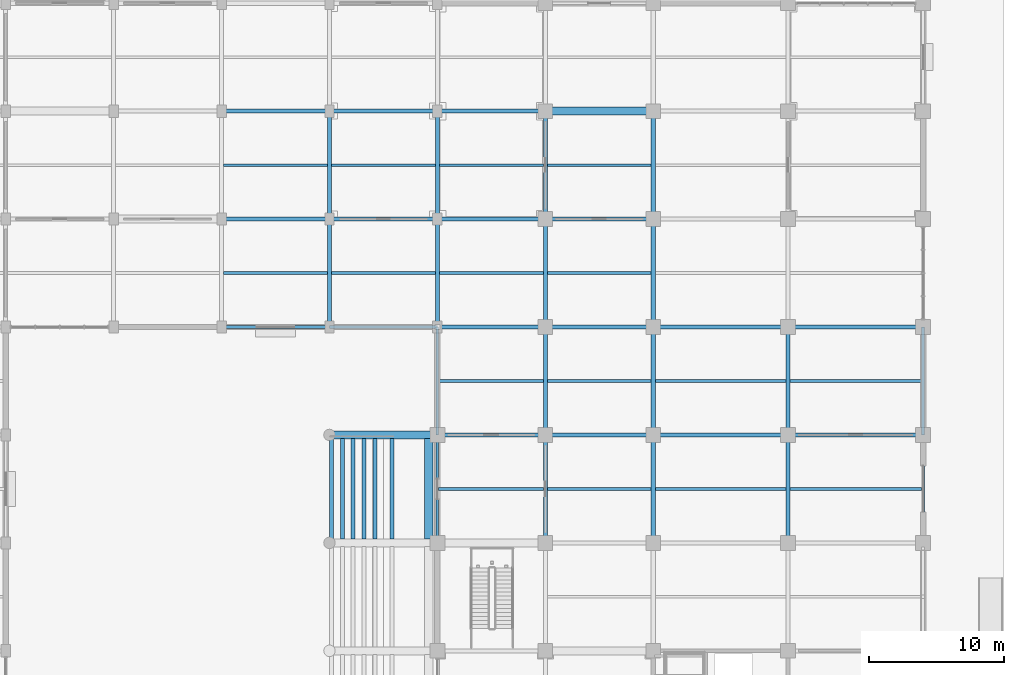
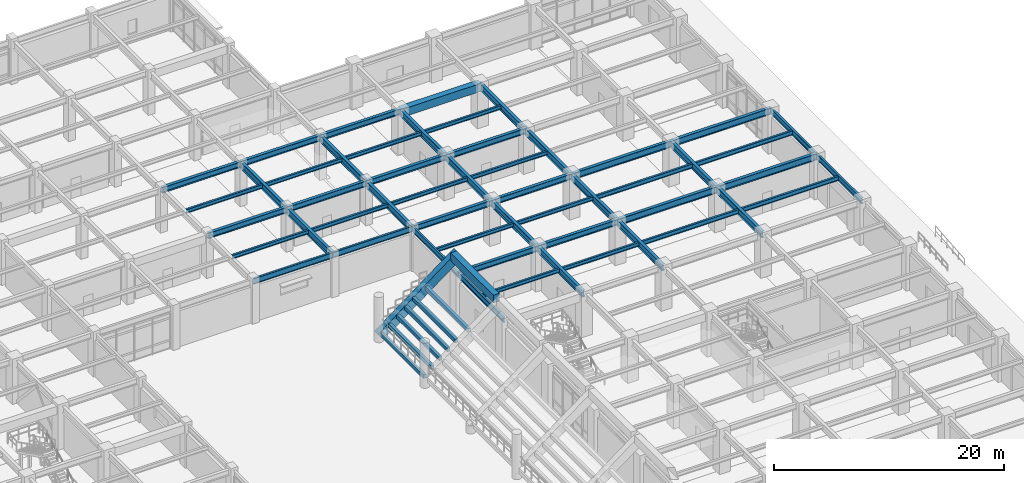
# One storey, part 52 of 125: 60 beams.
"""IFC4 building model written with IfcOpenShell, lengths in metres."""

from ifc_helpers import new_model, si_unit, direction, frame, origin, origin_2d, place, context, subcontext, project, spatial, rectangle, i_section, extrude, material, material_profile, profile_set, type_object, element, save


model = new_model("IFC4")

# Units and contexts
model_context = context("Model", 3, precision=1e-05, world=origin(), true_north=direction((0.0, 1.0)))
body_context = subcontext(model_context, "Body", "Model", "MODEL_VIEW")
ifc_project = project(units=[si_unit("LENGTHUNIT", "METRE"), si_unit("AREAUNIT", "SQUARE_METRE"), si_unit("VOLUMEUNIT", "CUBIC_METRE"), si_unit("PLANEANGLEUNIT", "RADIAN"), si_unit("MASSUNIT", "GRAM", prefix="KILO")], contexts=[model_context])

# Site, building, storey
site_placement = place(None, origin())
site = spatial("IfcSite", under=ifc_project, at=site_placement, CompositionType="ELEMENT")
building_placement = place(site_placement, origin())
building = spatial("IfcBuilding", under=site, at=building_placement, Name="Haebicheon Civic Stadium", CompositionType="ELEMENT")
storey_placement = place(building_placement, origin())
storey = spatial("IfcBuildingStorey", under=building, at=storey_placement, Name="L01", CompositionType="ELEMENT", Elevation=0.0)

# Beams
ifc_material_1 = material(Name="Precast concrete C40/50", Category="concrete")
ifc_material_profile_1 = material_profile(ifc_material_1, rectangle(XDim=0.300048828125, YDim=0.39990234375, at=origin_2d()), Name="PC-LN-300x400")
ifc_profile_set_1 = profile_set([ifc_material_profile_1], Name="Precast concrete C40/50")
beam_type_1 = type_object("IfcBeamType", Name="BM-LN-300x400", PredefinedType="LINTEL", material=ifc_profile_set_1)
for number, where, z_axis, x_axis, name in (
    (1, (192.159912109375, 120.280029296875, 0.760009765625), (0.0, 1.0, 0.0), (-1.0, 0.0, 0.0), "TIER-C-L precast step carrier beam 9.1"),
    (2, (192.9599609375, 120.280029296875, 1.427001953125), (0.0, 1.0, 0.0), (-1.0, 0.0, 0.0), "TIER-C-L precast step carrier beam 9.2"),
    (3, (193.760009765625, 120.280029296875, 2.093017578125), (0.0, 1.0, 0.0), (-1.0, 0.0, 0.0), "TIER-C-L precast step carrier beam 9.3"),
    (4, (194.56005859375, 120.280029296875, 2.760009765625), (0.0, 1.0, 0.0), (-1.0, 0.0, 0.0), "TIER-C-L precast step carrier beam 9.4"),
    (5, (195.360107421875, 120.280029296875, 3.427001953125), (0.0, 1.0, 0.0), (-1.0, 0.0, 0.0), "TIER-C-L precast step carrier beam 9.5"),
    (6, (196.639892578125, 120.280029296875, 4.093017578125), (0.0, 1.0, 0.0), (-1.0, 0.0, 0.0), "TIER-C-L precast step carrier beam 9.6"),
):
    element("IfcBeam", number, at=place(storey_placement, frame(where, z_axis=z_axis, x_axis=x_axis)), inside=storey, type_object=beam_type_1, material=ifc_profile_set_1, Name=name, PredefinedType="LINTEL", context=body_context, shape_type="SweptSolid", body=[
        extrude(rectangle(XDim=0.300048828125, YDim=0.39990234375, at=origin_2d()), origin(), (0.0, 0.0, 1.0), 7.43994140625),
    ])
ifc_material_2 = material(Name="Steel SM355 (S355)", Category="steel")
ifc_material_profile_2 = material_profile(ifc_material_2, i_section(OverallWidth=0.300048828125, OverallDepth=0.60009765625, WebThickness=0.011962890625, FlangeThickness=0.02001953125, at=origin_2d()), Name="H-600x300x12x20")
ifc_profile_set_2 = profile_set([ifc_material_profile_2], Name="Steel SM355 (S355)")
beam_type_2 = type_object("IfcBeamType", Name="BM-ST-H600A", PredefinedType="BEAM", material=ifc_profile_set_2)
for number, where, z_axis, x_axis, name in (
    (7, (184.0, 144.0, 4.219970703125), (1.0, 0.0, 0.0), (0.0, 1.0, 0.0), "L01 beam U/24-25"),
    (8, (184.0, 152.0, 4.219970703125), (1.0, 0.0, 0.0), (0.0, 1.0, 0.0), "L01 beam V/24-25"),
    (9, (192.0, 144.0, 4.219970703125), (1.0, 0.0, 0.0), (0.0, 1.0, 0.0), "L01 beam U/25-26"),
    (10, (192.0, 152.0, 4.219970703125), (1.0, 0.0, 0.0), (0.0, 1.0, 0.0), "L01 beam V/25-26"),
    (11, (200.0, 128.0, 4.219970703125), (1.0, 0.0, 0.0), (0.0, 1.0, 0.0), "L01 beam S/26-27"),
    (12, (200.0, 136.0, 4.219970703125), (1.0, 0.0, 0.0), (0.0, 1.0, 0.0), "L01 beam T/26-27"),
    (13, (200.0, 144.0, 4.219970703125), (1.0, 0.0, 0.0), (0.0, 1.0, 0.0), "L01 beam U/26-27"),
    (14, (200.0, 152.0, 4.219970703125), (1.0, 0.0, 0.0), (0.0, 1.0, 0.0), "L01 beam V/26-27"),
    (15, (208.0, 128.0, 4.219970703125), (1.0, 0.0, 0.0), (0.0, 1.0, 0.0), "L01 beam S/27-28"),
    (16, (208.0, 136.0, 4.219970703125), (1.0, 0.0, 0.0), (0.0, 1.0, 0.0), "L01 beam T/27-28"),
    (17, (208.0, 144.0, 4.219970703125), (1.0, 0.0, 0.0), (0.0, 1.0, 0.0), "L01 beam U/27-28"),
):
    element("IfcBeam", number, at=place(storey_placement, frame(where, z_axis=z_axis, x_axis=x_axis)), inside=storey, type_object=beam_type_2, material=ifc_profile_set_2, Name=name, PredefinedType="BEAM", context=body_context, shape_type="SweptSolid", body=[
        extrude(i_section(OverallWidth=0.300048828125, OverallDepth=0.60009765625, WebThickness=0.011962890625, FlangeThickness=0.02001953125, at=origin_2d()), origin(), (0.0, 0.0, 1.0), 8.0),
    ])
ifc_material_3 = material(Name="Steel SM490", Category="steel")
ifc_material_profile_3 = material_profile(ifc_material_3, i_section(OverallWidth=0.300048828125, OverallDepth=0.699951171875, WebThickness=0.012939453125, FlangeThickness=0.02392578125, at=origin_2d()), Name="H-700x300x13x24")
ifc_profile_set_3 = profile_set([ifc_material_profile_3], Name="Steel SM490")
beam_type_3 = type_object("IfcBeamType", Name="BM-ST-H700", PredefinedType="BEAM", material=ifc_profile_set_3)
for number, where, z_axis, x_axis, name in (
    (18, (192.0, 136.0, 4.169921875), (0.0, 1.0, 0.0), (-1.0, 0.0, 0.0), "L01 girder 25/T-U"),
    (19, (192.0, 144.0, 4.169921875), (0.0, 1.0, 0.0), (-1.0, 0.0, 0.0), "L01 girder 25/U-V"),
    (20, (200.0, 136.0, 4.169921875), (0.0, 1.0, 0.0), (-1.0, 0.0, 0.0), "L01 girder 26/T-U"),
    (21, (200.0, 144.0, 4.169921875), (0.0, 1.0, 0.0), (-1.0, 0.0, 0.0), "L01 girder 26/U-V"),
    (22, (208.0, 120.0, 4.169921875), (0.0, 1.0, 0.0), (-1.0, 0.0, 0.0), "L01 girder 27/R-S"),
    (23, (208.0, 128.0, 4.169921875), (0.0, 1.0, 0.0), (-1.0, 0.0, 0.0), "L01 girder 27/S-T"),
    (24, (208.0, 136.0, 4.169921875), (0.0, 1.0, 0.0), (-1.0, 0.0, 0.0), "L01 girder 27/T-U"),
    (25, (208.0, 144.0, 4.169921875), (0.0, 1.0, 0.0), (-1.0, 0.0, 0.0), "L01 girder 27/U-V"),
    (26, (216.0, 120.0, 4.169921875), (0.0, 1.0, 0.0), (-1.0, 0.0, 0.0), "L01 girder 28/R-S"),
    (27, (216.0, 128.0, 4.169921875), (0.0, 1.0, 0.0), (-1.0, 0.0, 0.0), "L01 girder 28/S-T"),
    (28, (216.0, 136.0, 4.169921875), (0.0, 1.0, 0.0), (-1.0, 0.0, 0.0), "L01 girder 28/T-U"),
    (29, (216.0, 144.0, 4.169921875), (0.0, 1.0, 0.0), (-1.0, 0.0, 0.0), "L01 girder 28/U-V"),
    (30, (226.0, 120.0, 4.169921875), (0.0, 1.0, 0.0), (-1.0, 0.0, 0.0), "L01 girder 29/R-S"),
    (31, (226.0, 128.0, 4.169921875), (0.0, 1.0, 0.0), (-1.0, 0.0, 0.0), "L01 girder 29/S-T"),
):
    element("IfcBeam", number, at=place(storey_placement, frame(where, z_axis=z_axis, x_axis=x_axis)), inside=storey, type_object=beam_type_3, material=ifc_profile_set_3, Name=name, PredefinedType="BEAM", context=body_context, shape_type="SweptSolid", body=[
        extrude(i_section(OverallWidth=0.300048828125, OverallDepth=0.699951171875, WebThickness=0.012939453125, FlangeThickness=0.02392578125, at=origin_2d()), origin(), (0.0, 0.0, 1.0), 8.0),
    ])
for number, where, z_axis, x_axis, name in (
    (32, (216.0, 128.0, 4.169921875), (1.0, 0.0, 0.0), (0.0, 1.0, 0.0), "L01 beam S/28-29"),
    (33, (216.0, 136.0, 4.169921875), (1.0, 0.0, 0.0), (0.0, 1.0, 0.0), "L01 beam T/28-29"),
    (34, (226.0, 128.0, 4.169921875), (1.0, 0.0, 0.0), (0.0, 1.0, 0.0), "L01 beam S/29-30"),
    (35, (226.0, 136.0, 4.169921875), (1.0, 0.0, 0.0), (0.0, 1.0, 0.0), "L01 beam T/29-30"),
):
    element("IfcBeam", number, at=place(storey_placement, frame(where, z_axis=z_axis, x_axis=x_axis)), inside=storey, type_object=beam_type_3, material=ifc_profile_set_3, Name=name, PredefinedType="BEAM", context=body_context, shape_type="SweptSolid", body=[
        extrude(i_section(OverallWidth=0.300048828125, OverallDepth=0.699951171875, WebThickness=0.012939453125, FlangeThickness=0.02392578125, at=origin_2d()), origin(), (0.0, 0.0, 1.0), 10.0),
    ])
ifc_material_4 = material(Name="Precast concrete C40/50", Category="concrete")
ifc_material_profile_4 = material_profile(ifc_material_4, rectangle(XDim=0.60009765625, YDim=0.85009765625, at=origin_2d()), Name="PC-TB-600x850")
ifc_profile_set_4 = profile_set([ifc_material_profile_4], Name="Precast concrete C40/50")
beam_type_4 = type_object("IfcBeamType", Name="BM-TB-600x850", PredefinedType="T_BEAM", material=ifc_profile_set_4)
beam_1_placement = place(storey_placement, frame((208.0, 152.0, 4.094970703125), z_axis=(1.0, 0.0, 0.0), x_axis=(0.0, 1.0, 0.0)))
element("IfcBeam", 36, at=beam_1_placement, inside=storey, type_object=beam_type_4, material=ifc_profile_set_4, Name="L01 beam V/27-28", PredefinedType="T_BEAM", context=body_context, shape_type="SweptSolid", body=[
    extrude(rectangle(XDim=0.60009765625, YDim=0.85009765625, at=origin_2d()), origin(), (0.0, 0.0, 1.0), 8.0),
])
beam_2_placement = place(storey_placement, frame((199.360107421875, 120.280029296875, 6.534912109375), z_axis=(0.0, 1.0, 0.0), x_axis=(-1.0, 0.0, 0.0)))
element("IfcBeam", 37, at=beam_2_placement, inside=storey, type_object=beam_type_4, material=ifc_profile_set_4, Name="TIER-C-L upper tier bench carrier beam 9", PredefinedType="T_BEAM", context=body_context, shape_type="SweptSolid", body=[
    extrude(rectangle(XDim=0.60009765625, YDim=0.85009765625, at=origin_2d()), origin(), (0.0, 0.0, 1.0), 7.43994140625),
])
ifc_material_5 = material(Name="Steel SM355 (S355)", Category="steel")
ifc_material_profile_5 = material_profile(ifc_material_5, i_section(OverallWidth=0.199951171875, OverallDepth=0.39990234375, WebThickness=0.008056640625, FlangeThickness=0.012939453125, at=origin_2d()), Name="H-400x200x8x13")
ifc_profile_set_5 = profile_set([ifc_material_profile_5], Name="Steel SM355 (S355)")
beam_type_5 = type_object("IfcBeamType", Name="JST-ST-H400", PredefinedType="JOIST", material=ifc_profile_set_5)
for number, where, z_axis, x_axis, name in (
    (38, (184.14990234375, 140.0, 4.320068359375), (1.0, 0.0, 0.0), (0.0, 1.0, 0.0), "L01 secondary joist 23-17"),
    (39, (184.14990234375, 148.0, 4.320068359375), (1.0, 0.0, 0.0), (0.0, 1.0, 0.0), "L01 secondary joist 23-18"),
    (40, (192.14990234375, 140.0, 4.320068359375), (1.0, 0.0, 0.0), (0.0, 1.0, 0.0), "L01 secondary joist 24-17"),
    (41, (192.14990234375, 148.0, 4.320068359375), (1.0, 0.0, 0.0), (0.0, 1.0, 0.0), "L01 secondary joist 24-18"),
):
    element("IfcBeam", number, at=place(storey_placement, frame(where, z_axis=z_axis, x_axis=x_axis)), inside=storey, type_object=beam_type_5, material=ifc_profile_set_5, Name=name, PredefinedType="JOIST", context=body_context, shape_type="SweptSolid", body=[
        extrude(i_section(OverallWidth=0.199951171875, OverallDepth=0.39990234375, WebThickness=0.008056640625, FlangeThickness=0.012939453125, at=origin_2d()), origin(), (0.0, 0.0, 1.0), 7.7001953125),
    ])
for number, where, z_axis, x_axis, name in (
    (42, (200.10009765625, 124.0, 4.320068359375), (1.0, 0.0, 0.0), (0.0, 1.0, 0.0), "L01 secondary joist 25-15"),
    (43, (200.10009765625, 132.0, 4.320068359375), (1.0, 0.0, 0.0), (0.0, 1.0, 0.0), "L01 secondary joist 25-16"),
):
    element("IfcBeam", number, at=place(storey_placement, frame(where, z_axis=z_axis, x_axis=x_axis)), inside=storey, type_object=beam_type_5, material=ifc_profile_set_5, Name=name, PredefinedType="JOIST", context=body_context, shape_type="SweptSolid", body=[
        extrude(i_section(OverallWidth=0.199951171875, OverallDepth=0.39990234375, WebThickness=0.008056640625, FlangeThickness=0.012939453125, at=origin_2d()), origin(), (0.0, 0.0, 1.0), 7.75),
    ])
for number, where, z_axis, x_axis, name in (
    (44, (200.14990234375, 140.0, 4.320068359375), (1.0, 0.0, 0.0), (0.0, 1.0, 0.0), "L01 secondary joist 25-17"),
    (45, (200.14990234375, 148.0, 4.320068359375), (1.0, 0.0, 0.0), (0.0, 1.0, 0.0), "L01 secondary joist 25-18"),
    (46, (208.14990234375, 124.0, 4.320068359375), (1.0, 0.0, 0.0), (0.0, 1.0, 0.0), "L01 secondary joist 26-15"),
    (47, (208.14990234375, 132.0, 4.320068359375), (1.0, 0.0, 0.0), (0.0, 1.0, 0.0), "L01 secondary joist 26-16"),
    (48, (208.14990234375, 140.0, 4.320068359375), (1.0, 0.0, 0.0), (0.0, 1.0, 0.0), "L01 secondary joist 26-17"),
    (49, (208.14990234375, 148.0, 4.320068359375), (1.0, 0.0, 0.0), (0.0, 1.0, 0.0), "L01 secondary joist 26-18"),
):
    element("IfcBeam", number, at=place(storey_placement, frame(where, z_axis=z_axis, x_axis=x_axis)), inside=storey, type_object=beam_type_5, material=ifc_profile_set_5, Name=name, PredefinedType="JOIST", context=body_context, shape_type="SweptSolid", body=[
        extrude(i_section(OverallWidth=0.199951171875, OverallDepth=0.39990234375, WebThickness=0.008056640625, FlangeThickness=0.012939453125, at=origin_2d()), origin(), (0.0, 0.0, 1.0), 7.7001953125),
    ])
ifc_material_6 = material(Name="Steel SM355 (S355)", Category="steel")
ifc_material_profile_6 = material_profile(ifc_material_6, i_section(OverallWidth=0.199951171875, OverallDepth=0.449951171875, WebThickness=0.009033203125, FlangeThickness=0.013916015625, at=origin_2d()), Name="H-450x200x9x14")
ifc_profile_set_6 = profile_set([ifc_material_profile_6], Name="Steel SM355 (S355)")
beam_type_6 = type_object("IfcBeamType", Name="JST-ST-H450", PredefinedType="JOIST", material=ifc_profile_set_6)
for number, where, z_axis, x_axis, name in (
    (50, (216.14990234375, 124.0, 4.294921875), (1.0, 0.0, 0.0), (0.0, 1.0, 0.0), "L01 secondary joist 27-15"),
    (51, (216.14990234375, 132.0, 4.294921875), (1.0, 0.0, 0.0), (0.0, 1.0, 0.0), "L01 secondary joist 27-16"),
):
    element("IfcBeam", number, at=place(storey_placement, frame(where, z_axis=z_axis, x_axis=x_axis)), inside=storey, type_object=beam_type_6, material=ifc_profile_set_6, Name=name, PredefinedType="JOIST", context=body_context, shape_type="SweptSolid", body=[
        extrude(i_section(OverallWidth=0.199951171875, OverallDepth=0.449951171875, WebThickness=0.009033203125, FlangeThickness=0.013916015625, at=origin_2d()), origin(), (0.0, 0.0, 1.0), 9.7001953125),
    ])
for number, where, z_axis, x_axis, name in (
    (52, (226.14990234375, 124.0, 4.294921875), (1.0, 0.0, 0.0), (0.0, 1.0, 0.0), "L01 secondary joist 28-15"),
    (53, (226.14990234375, 132.0, 4.294921875), (1.0, 0.0, 0.0), (0.0, 1.0, 0.0), "L01 secondary joist 28-16"),
):
    element("IfcBeam", number, at=place(storey_placement, frame(where, z_axis=z_axis, x_axis=x_axis)), inside=storey, type_object=beam_type_6, material=ifc_profile_set_6, Name=name, PredefinedType="JOIST", context=body_context, shape_type="SweptSolid", body=[
        extrude(i_section(OverallWidth=0.199951171875, OverallDepth=0.449951171875, WebThickness=0.009033203125, FlangeThickness=0.013916015625, at=origin_2d()), origin(), (0.0, 0.0, 1.0), 9.75),
    ])
ifc_material_7 = material(Name="Precast concrete C40/50", Category="concrete")
ifc_material_profile_7 = material_profile(ifc_material_7, rectangle(XDim=0.60009765625, YDim=0.949951171875, at=origin_2d()), Name="PC-RK-600x950")
ifc_profile_set_7 = profile_set([ifc_material_profile_7], Name="Precast concrete C40/50")
beam_type_7 = type_object("IfcBeamType", Name="RK-PC-600x950", PredefinedType="USERDEFINED", material=ifc_profile_set_7)
beam_3_placement = place(storey_placement, frame((192.0, 128.0, 0.485107421875), z_axis=(0.8, 0.0, 0.6), x_axis=(0.0, 1.0, 0.0)))
element("IfcBeam", 54, at=beam_3_placement, inside=storey, type_object=beam_type_7, material=ifc_profile_set_7, Name="TIER-C-L inclined precast raker beam 10", ObjectType="RAKER BEAM", PredefinedType="USERDEFINED", context=body_context, shape_type="SweptSolid", body=[
    extrude(rectangle(XDim=0.60009765625, YDim=0.949951171875, at=origin_2d()), origin(), (0.0, 0.0, 1.0), 10.0),
])
ifc_material_8 = material(Name="Steel SM355 (S355)", Category="steel")
ifc_material_profile_8 = material_profile(ifc_material_8, i_section(OverallWidth=0.199951171875, OverallDepth=0.60009765625, WebThickness=0.010986328125, FlangeThickness=0.01708984375, at=origin_2d()), Name="H-600x200x11x17")
ifc_profile_set_8 = profile_set([ifc_material_profile_8], Name="Steel SM355 (S355)")
beam_type_8 = type_object("IfcBeamType", Name="SPD-ST-H600B", PredefinedType="SPANDREL", material=ifc_profile_set_8)
for number, where, z_axis, x_axis, name in (
    (55, (200.0, 120.0, 4.219970703125), (0.0, 1.0, 0.0), (-1.0, 0.0, 0.0), "L01 girder 26/R-S"),
    (56, (200.0, 128.0, 4.219970703125), (0.0, 1.0, 0.0), (-1.0, 0.0, 0.0), "L01 girder 26/S-T"),
    (57, (236.0, 120.0, 4.219970703125), (0.0, 1.0, 0.0), (-1.0, 0.0, 0.0), "L01 girder 30/R-S"),
    (58, (236.0, 128.0, 4.219970703125), (0.0, 1.0, 0.0), (-1.0, 0.0, 0.0), "L01 girder 30/S-T"),
    (59, (184.0, 136.0, 4.219970703125), (1.0, 0.0, 0.0), (0.0, 1.0, 0.0), "L01 beam T/24-25"),
    (60, (192.0, 136.0, 4.219970703125), (1.0, 0.0, 0.0), (0.0, 1.0, 0.0), "L01 beam T/25-26"),
):
    element("IfcBeam", number, at=place(storey_placement, frame(where, z_axis=z_axis, x_axis=x_axis)), inside=storey, type_object=beam_type_8, material=ifc_profile_set_8, Name=name, PredefinedType="SPANDREL", context=body_context, shape_type="SweptSolid", body=[
        extrude(i_section(OverallWidth=0.199951171875, OverallDepth=0.60009765625, WebThickness=0.010986328125, FlangeThickness=0.01708984375, at=origin_2d()), origin(), (0.0, 0.0, 1.0), 8.0),
    ])

save(model, "model.ifc")
